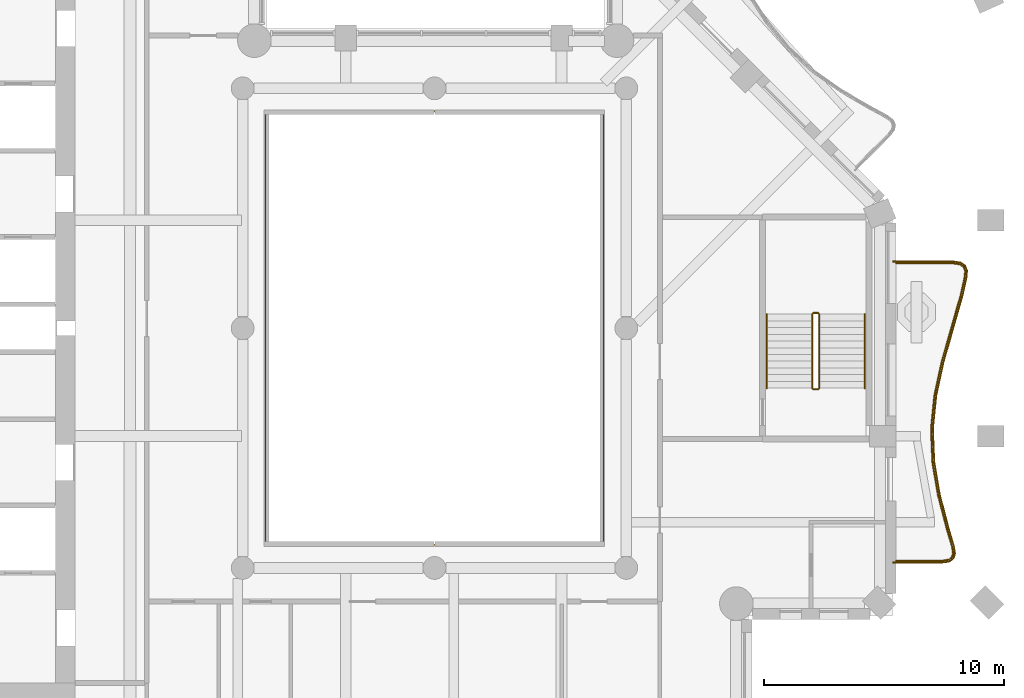
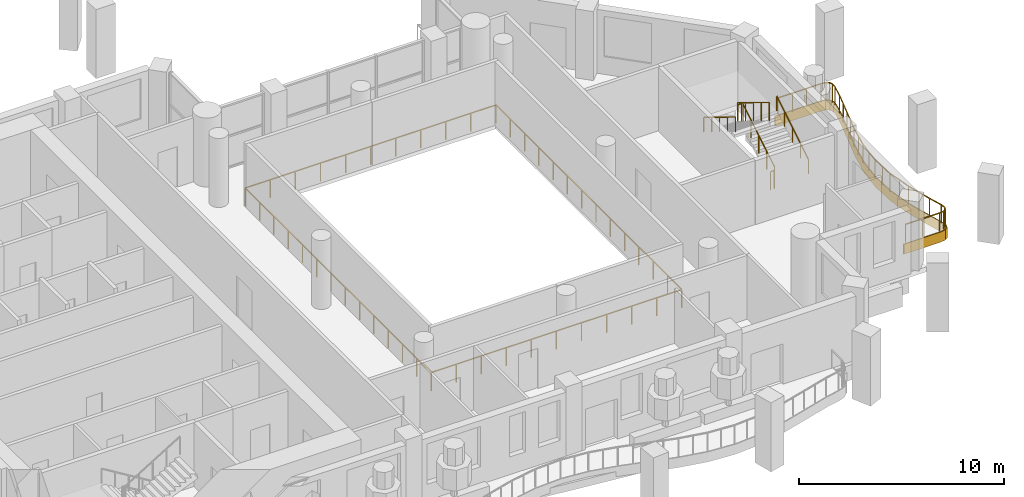
# One storey, part 11 of 14: 8 railings, 1 covering.
"""IFC4 building model written with IfcOpenShell, lengths in metres."""

from ifc_helpers import new_model, si_unit, direction, frame, origin, origin_2d, place, context, subcontext, project, spatial, polyline, rectangle, outline, extrude, material, layer, layer_set, type_object, element, save


model = new_model("IFC4")

# Units and contexts
model_context = context("Model", 3, precision=1e-05, world=origin(), true_north=direction((0.0, 1.0)))
body_context = subcontext(model_context, "Body", "Model", "MODEL_VIEW")
ifc_project = project(units=[si_unit("LENGTHUNIT", "METRE"), si_unit("AREAUNIT", "SQUARE_METRE"), si_unit("VOLUMEUNIT", "CUBIC_METRE"), si_unit("PLANEANGLEUNIT", "RADIAN"), si_unit("MASSUNIT", "GRAM", prefix="KILO")], contexts=[model_context])

# Site, building, storey
site_placement = place(None, origin())
site = spatial("IfcSite", under=ifc_project, at=site_placement, CompositionType="ELEMENT")
building_placement = place(site_placement, origin())
building = spatial("IfcBuilding", under=site, at=building_placement, Name="Cypress Arch Tower", CompositionType="ELEMENT")
storey_placement = place(building_placement, frame((0.0, 0.0, 226.10009765625)))
storey = spatial("IfcBuildingStorey", under=building, at=storey_placement, Name="L50", CompositionType="ELEMENT", Elevation=226.10009765625)

# Railing
ifc_material_1 = material(Name="Stainless steel posts and handrail, laminated glass infill", Category="steel")
railing_type_1 = type_object("IfcRailingType", Name="Atrium guard GR1100A", PredefinedType="GUARDRAIL", material=ifc_material_1)
railing_1_placement = place(storey_placement, frame((8.050048828125, -9.050048828125, 0.0)))
element("IfcRailing", 1, at=railing_1_placement, inside=storey, type_object=railing_type_1, Name="Atrium guard L50", PredefinedType="GUARDRAIL", context=body_context, shape_type="SweptSolid", body=[
    extrude(rectangle(XDim=0.050048828125, YDim=0.050048828125, at=origin_2d()), frame((0.0, 0.0, 1.0751953125), z_axis=(-1.0, 0.0, 0.0), x_axis=(0.0, -1.0, 0.0)), (0.0, 0.0, 1.0), 14.10009765625),
    extrude(rectangle(XDim=0.050048828125, YDim=0.050048828125, at=origin_2d()), frame((-14.10009765625, 0.0, 1.0751953125), z_axis=(0.0, 1.0, 0.0), x_axis=(-1.0, 0.0, 0.0)), (0.0, 0.0, 1.0), 18.10009765625),
    extrude(rectangle(XDim=0.050048828125, YDim=0.050048828125, at=origin_2d()), frame((-14.10009765625, 18.10009765625, 1.0751953125), z_axis=(1.0, 0.0, 0.0), x_axis=(0.0, 1.0, 0.0)), (0.0, 0.0, 1.0), 14.10009765625),
    extrude(rectangle(XDim=0.050048828125, YDim=0.050048828125, at=origin_2d()), frame((0.0, 18.10009765625, 1.0751953125), z_axis=(0.0, -1.0, 0.0), x_axis=(1.0, 0.0, 0.0)), (0.0, 0.0, 1.0), 18.10009765625),
    extrude(rectangle(XDim=0.050048828125, YDim=0.050048828125, at=origin_2d()), origin(), (0.0, 0.0, 1.0), 1.050048828125),
    extrude(rectangle(XDim=0.050048828125, YDim=0.050048828125, at=origin_2d()), frame((-1.409912109375, 0.0, 0.0)), (0.0, 0.0, 1.0), 1.050048828125),
    extrude(rectangle(XDim=0.050048828125, YDim=0.050048828125, at=origin_2d()), frame((-2.820068359375, 0.0, 0.0)), (0.0, 0.0, 1.0), 1.050048828125),
    extrude(rectangle(XDim=0.050048828125, YDim=0.050048828125, at=origin_2d()), frame((-4.22998046875, 0.0, 0.0)), (0.0, 0.0, 1.0), 1.050048828125),
    extrude(rectangle(XDim=0.050048828125, YDim=0.050048828125, at=origin_2d()), frame((-5.64013671875, 0.0, 0.0)), (0.0, 0.0, 1.0), 1.050048828125),
    extrude(rectangle(XDim=0.050048828125, YDim=0.050048828125, at=origin_2d()), frame((-7.050048828125, 0.0, 0.0)), (0.0, 0.0, 1.0), 1.050048828125),
    extrude(rectangle(XDim=0.050048828125, YDim=0.050048828125, at=origin_2d()), frame((-8.4599609375, 0.0, 0.0)), (0.0, 0.0, 1.0), 1.050048828125),
    extrude(rectangle(XDim=0.050048828125, YDim=0.050048828125, at=origin_2d()), frame((-9.8701171875, 0.0, 0.0)), (0.0, 0.0, 1.0), 1.050048828125),
    extrude(rectangle(XDim=0.050048828125, YDim=0.050048828125, at=origin_2d()), frame((-11.280029296875, 0.0, 0.0)), (0.0, 0.0, 1.0), 1.050048828125),
    extrude(rectangle(XDim=0.050048828125, YDim=0.050048828125, at=origin_2d()), frame((-12.690185546875, 0.0, 0.0)), (0.0, 0.0, 1.0), 1.050048828125),
    extrude(rectangle(XDim=0.050048828125, YDim=0.050048828125, at=origin_2d()), frame((-14.10009765625, 0.0, 0.0)), (0.0, 0.0, 1.0), 1.050048828125),
    extrude(rectangle(XDim=0.050048828125, YDim=0.050048828125, at=origin_2d()), frame((-14.10009765625, 1.392333984375, 0.0)), (0.0, 0.0, 1.0), 1.050048828125),
    extrude(rectangle(XDim=0.050048828125, YDim=0.050048828125, at=origin_2d()), frame((-14.10009765625, 2.78466796875, 0.0)), (0.0, 0.0, 1.0), 1.050048828125),
    extrude(rectangle(XDim=0.050048828125, YDim=0.050048828125, at=origin_2d()), frame((-14.10009765625, 4.177001953125, 0.0)), (0.0, 0.0, 1.0), 1.050048828125),
    extrude(rectangle(XDim=0.050048828125, YDim=0.050048828125, at=origin_2d()), frame((-14.10009765625, 5.5693359375, 0.0)), (0.0, 0.0, 1.0), 1.050048828125),
    extrude(rectangle(XDim=0.050048828125, YDim=0.050048828125, at=origin_2d()), frame((-14.10009765625, 6.961669921875, 0.0)), (0.0, 0.0, 1.0), 1.050048828125),
    extrude(rectangle(XDim=0.050048828125, YDim=0.050048828125, at=origin_2d()), frame((-14.10009765625, 8.35400390625, 0.0)), (0.0, 0.0, 1.0), 1.050048828125),
    extrude(rectangle(XDim=0.050048828125, YDim=0.050048828125, at=origin_2d()), frame((-14.10009765625, 9.74609375, 0.0)), (0.0, 0.0, 1.0), 1.050048828125),
    extrude(rectangle(XDim=0.050048828125, YDim=0.050048828125, at=origin_2d()), frame((-14.10009765625, 11.138427734375, 0.0)), (0.0, 0.0, 1.0), 1.050048828125),
    extrude(rectangle(XDim=0.050048828125, YDim=0.050048828125, at=origin_2d()), frame((-14.10009765625, 12.53076171875, 0.0)), (0.0, 0.0, 1.0), 1.050048828125),
    extrude(rectangle(XDim=0.050048828125, YDim=0.050048828125, at=origin_2d()), frame((-14.10009765625, 13.923095703125, 0.0)), (0.0, 0.0, 1.0), 1.050048828125),
    extrude(rectangle(XDim=0.050048828125, YDim=0.050048828125, at=origin_2d()), frame((-14.10009765625, 15.3154296875, 0.0)), (0.0, 0.0, 1.0), 1.050048828125),
    extrude(rectangle(XDim=0.050048828125, YDim=0.050048828125, at=origin_2d()), frame((-14.10009765625, 16.707763671875, 0.0)), (0.0, 0.0, 1.0), 1.050048828125),
    extrude(rectangle(XDim=0.050048828125, YDim=0.050048828125, at=origin_2d()), frame((-14.10009765625, 18.10009765625, 0.0)), (0.0, 0.0, 1.0), 1.050048828125),
    extrude(rectangle(XDim=0.050048828125, YDim=0.050048828125, at=origin_2d()), frame((-12.690185546875, 18.10009765625, 0.0)), (0.0, 0.0, 1.0), 1.050048828125),
    extrude(rectangle(XDim=0.050048828125, YDim=0.050048828125, at=origin_2d()), frame((-11.280029296875, 18.10009765625, 0.0)), (0.0, 0.0, 1.0), 1.050048828125),
    extrude(rectangle(XDim=0.050048828125, YDim=0.050048828125, at=origin_2d()), frame((-9.8701171875, 18.10009765625, 0.0)), (0.0, 0.0, 1.0), 1.050048828125),
    extrude(rectangle(XDim=0.050048828125, YDim=0.050048828125, at=origin_2d()), frame((-8.4599609375, 18.10009765625, 0.0)), (0.0, 0.0, 1.0), 1.050048828125),
    extrude(rectangle(XDim=0.050048828125, YDim=0.050048828125, at=origin_2d()), frame((-7.050048828125, 18.10009765625, 0.0)), (0.0, 0.0, 1.0), 1.050048828125),
    extrude(rectangle(XDim=0.050048828125, YDim=0.050048828125, at=origin_2d()), frame((-5.64013671875, 18.10009765625, 0.0)), (0.0, 0.0, 1.0), 1.050048828125),
    extrude(rectangle(XDim=0.050048828125, YDim=0.050048828125, at=origin_2d()), frame((-4.22998046875, 18.10009765625, 0.0)), (0.0, 0.0, 1.0), 1.050048828125),
    extrude(rectangle(XDim=0.050048828125, YDim=0.050048828125, at=origin_2d()), frame((-2.820068359375, 18.10009765625, 0.0)), (0.0, 0.0, 1.0), 1.050048828125),
    extrude(rectangle(XDim=0.050048828125, YDim=0.050048828125, at=origin_2d()), frame((-1.409912109375, 18.10009765625, 0.0)), (0.0, 0.0, 1.0), 1.050048828125),
    extrude(rectangle(XDim=0.050048828125, YDim=0.050048828125, at=origin_2d()), frame((0.0, 18.10009765625, 0.0)), (0.0, 0.0, 1.0), 1.050048828125),
    extrude(rectangle(XDim=0.050048828125, YDim=0.050048828125, at=origin_2d()), frame((0.0, 16.707763671875, 0.0)), (0.0, 0.0, 1.0), 1.050048828125),
    extrude(rectangle(XDim=0.050048828125, YDim=0.050048828125, at=origin_2d()), frame((0.0, 15.3154296875, 0.0)), (0.0, 0.0, 1.0), 1.050048828125),
    extrude(rectangle(XDim=0.050048828125, YDim=0.050048828125, at=origin_2d()), frame((0.0, 13.923095703125, 0.0)), (0.0, 0.0, 1.0), 1.050048828125),
    extrude(rectangle(XDim=0.050048828125, YDim=0.050048828125, at=origin_2d()), frame((0.0, 12.53076171875, 0.0)), (0.0, 0.0, 1.0), 1.050048828125),
    extrude(rectangle(XDim=0.050048828125, YDim=0.050048828125, at=origin_2d()), frame((0.0, 11.138427734375, 0.0)), (0.0, 0.0, 1.0), 1.050048828125),
    extrude(rectangle(XDim=0.050048828125, YDim=0.050048828125, at=origin_2d()), frame((0.0, 9.74609375, 0.0)), (0.0, 0.0, 1.0), 1.050048828125),
    extrude(rectangle(XDim=0.050048828125, YDim=0.050048828125, at=origin_2d()), frame((0.0, 8.35400390625, 0.0)), (0.0, 0.0, 1.0), 1.050048828125),
    extrude(rectangle(XDim=0.050048828125, YDim=0.050048828125, at=origin_2d()), frame((0.0, 6.961669921875, 0.0)), (0.0, 0.0, 1.0), 1.050048828125),
    extrude(rectangle(XDim=0.050048828125, YDim=0.050048828125, at=origin_2d()), frame((0.0, 5.5693359375, 0.0)), (0.0, 0.0, 1.0), 1.050048828125),
    extrude(rectangle(XDim=0.050048828125, YDim=0.050048828125, at=origin_2d()), frame((0.0, 4.177001953125, 0.0)), (0.0, 0.0, 1.0), 1.050048828125),
    extrude(rectangle(XDim=0.050048828125, YDim=0.050048828125, at=origin_2d()), frame((0.0, 2.78466796875, 0.0)), (0.0, 0.0, 1.0), 1.050048828125),
    extrude(rectangle(XDim=0.050048828125, YDim=0.050048828125, at=origin_2d()), frame((0.0, 1.392333984375, 0.0)), (0.0, 0.0, 1.0), 1.050048828125),
])

# Covering
ifc_material_2 = material(Name="White powder-coated aluminium fascia", Category="aluminium")
ifc_layer = layer(ifc_material_2, 0.050048828125)
ifc_layer_set = layer_set([ifc_layer], Name="Balcony fascia BF50")
covering_type = type_object("IfcCoveringType", Name="Balcony fascia BF50", PredefinedType="CLADDING", material=ifc_layer_set)
covering_placement = place(storey_placement, frame((0.0, 0.0, -0.60009765625)))
element("IfcCovering", 2, at=covering_placement, inside=storey, type_object=covering_type, Name="Balcony fascia L50-B04", PredefinedType="CLADDING", context=body_context, shape_type="SweptSolid", body=[
    extrude(outline(polyline([(22.666015625, 2.800048828125), (22.952392578125, 2.7587890625), (23.14892578125, 2.62646484375), (23.235595703125, 2.406005859375), (23.2138671875, 2.11767578125), (23.043701171875, 1.348876953125), (22.646240234375, -0.04150390625), (22.25146484375, -1.428955078125), (21.9501953125, -2.8134765625), (21.811279296875, -4.196044921875), (21.8662109375, -5.578125), (22.1025390625, -6.961669921875), (22.466552734375, -8.34765625), (22.691650390625, -9.1142578125), (22.733642578125, -9.403076171875), (22.65966796875, -9.625244140625), (22.46728515625, -9.7587890625), (22.178466796875, -9.800048828125), (20.10107421875, -9.800048828125), (20.10107421875, -9.75), (22.1748046875, -9.75), (22.448486328125, -9.7109375), (22.61767578125, -9.59375), (22.682373046875, -9.3984375), (22.642822265625, -9.125), (22.41845703125, -8.361083984375), (22.0537109375, -6.97216796875), (21.81640625, -5.583251953125), (21.76123046875, -4.1943359375), (21.900634765625, -2.8056640625), (22.202880859375, -1.416748046875), (22.59814453125, -0.02783203125), (22.9951171875, 1.361083984375), (23.164306640625, 2.125), (23.184814453125, 2.3984375), (23.10791015625, 2.59375), (22.933837890625, 2.7109375), (22.66259765625, 2.75), (20.10107421875, 2.75), (20.10107421875, 2.800048828125), (22.666015625, 2.800048828125)])), origin(), (0.0, 0.0, 1.0), 0.60009765625),
])

# Railings
ifc_material_3 = material(Name="Powder-coated steel posts and rods, 100 mm clear between rods", Category="steel")
railing_type_2 = type_object("IfcRailingType", Name="Balcony guard GR1100", PredefinedType="GUARDRAIL", material=ifc_material_3)
railing_2_placement = place(storey_placement, frame((20.25, 2.699951171875, 0.0)))
element("IfcRailing", 3, at=railing_2_placement, inside=storey, type_object=railing_type_2, Name="Balcony guard L50-B04", PredefinedType="GUARDRAIL", context=body_context, shape_type="SweptSolid", body=[
    extrude(rectangle(XDim=0.050048828125, YDim=0.050048828125, at=origin_2d()), frame((0.0, 0.0, 1.0751953125), z_axis=(1.0, 0.0, 0.0), x_axis=(0.0, 1.0, 0.0)), (0.0, 0.0, 1.0), 2.408935546875),
    extrude(rectangle(XDim=0.050048828125, YDim=0.050048828125, at=origin_2d()), frame((2.408935546875, 0.0, 1.0751953125), z_axis=(0.989836161054, -0.142212426564, 0.0), x_axis=(0.142212426564, 0.989836161054, 0.0)), (0.0, 0.0, 1.0), 0.25927734375),
    extrude(rectangle(XDim=0.050048828125, YDim=0.050048828125, at=origin_2d()), frame((2.66552734375, -0.036865234375, 1.0751953125), z_axis=(0.829575847334, -0.558394048608, 0.0), x_axis=(0.558394048608, 0.829575847334, 0.0)), (0.0, 0.0, 1.0), 0.182861328125),
    extrude(rectangle(XDim=0.050048828125, YDim=0.050048828125, at=origin_2d()), frame((2.817138671875, -0.138916015625, 1.0751953125), z_axis=(0.365858921668, -0.930670322636, 0.0), x_axis=(0.930670322636, 0.365858921668, 0.0)), (0.0, 0.0, 1.0), 0.182861328125),
    extrude(rectangle(XDim=0.050048828125, YDim=0.050048828125, at=origin_2d()), frame((2.884033203125, -0.30908203125, 1.0751953125), z_axis=(-0.074391970905, -0.997229078329, 0.0), x_axis=(0.997229078329, -0.074391970905, 0.0)), (0.0, 0.0, 1.0), 0.25927734375),
    extrude(rectangle(XDim=0.050048828125, YDim=0.050048828125, at=origin_2d()), frame((2.86474609375, -0.567626953125, 1.0751953125), z_axis=(-0.21606581391, -0.976378801521, 0.0), x_axis=(0.976378801521, -0.21606581391, 0.0)), (0.0, 0.0, 1.0), 0.77734375),
    extrude(rectangle(XDim=0.050048828125, YDim=0.050048828125, at=origin_2d()), frame((2.69677734375, -1.32666015625, 1.0751953125), z_axis=(-0.2749222261, -0.961466468264, 0.0), x_axis=(0.961466468264, -0.2749222261, 0.0)), (0.0, 0.0, 1.0), 1.443115234375),
    extrude(rectangle(XDim=0.050048828125, YDim=0.050048828125, at=origin_2d()), frame((2.300048828125, -2.714111328125, 1.0751953125), z_axis=(-0.273761854438, -0.961797508343, 0.0), x_axis=(0.961797508343, -0.273761854438, 0.0)), (0.0, 0.0, 1.0), 1.445556640625),
    extrude(rectangle(XDim=0.050048828125, YDim=0.050048828125, at=origin_2d()), frame((1.904296875, -4.1044921875, 1.0751953125), z_axis=(-0.212522069279, -0.977156266965, 0.0), x_axis=(0.977156266965, -0.212522069279, 0.0)), (0.0, 0.0, 1.0), 1.425537109375),
    extrude(rectangle(XDim=0.050048828125, YDim=0.050048828125, at=origin_2d()), frame((1.601318359375, -5.49755859375, 1.0751953125), z_axis=(-0.099934655698, -0.994994002289, 0.0), x_axis=(0.994994002289, -0.099934655698, 0.0)), (0.0, 0.0, 1.0), 1.40234375),
    extrude(rectangle(XDim=0.050048828125, YDim=0.050048828125, at=origin_2d()), frame((1.461181640625, -6.892822265625, 1.0751953125), z_axis=(0.039674876642, -0.999212642116, 0.0), x_axis=(0.999212642116, 0.039674876642, 0.0)), (0.0, 0.0, 1.0), 1.39697265625),
    extrude(rectangle(XDim=0.050048828125, YDim=0.050048828125, at=origin_2d()), frame((1.5166015625, -8.28857421875, 1.0751953125), z_axis=(0.168455989452, -0.985709175983, 0.0), x_axis=(0.985709175983, 0.168455989452, 0.0)), (0.0, 0.0, 1.0), 1.41455078125),
    extrude(rectangle(XDim=0.050048828125, YDim=0.050048828125, at=origin_2d()), frame((1.7548828125, -9.682861328125, 1.0751953125), z_axis=(0.253858440089, -0.967241382694, 0.0), x_axis=(0.967241382694, 0.253858440089, 0.0)), (0.0, 0.0, 1.0), 1.438720703125),
    extrude(rectangle(XDim=0.050048828125, YDim=0.050048828125, at=origin_2d()), frame((2.1201171875, -11.074462890625, 1.0751953125), z_axis=(0.281866435616, -0.959453653114, 0.0), x_axis=(0.959453653114, 0.281866435616, 0.0)), (0.0, 0.0, 1.0), 0.79345703125),
    extrude(rectangle(XDim=0.050048828125, YDim=0.050048828125, at=origin_2d()), frame((2.34375, -11.835693359375, 1.0751953125), z_axis=(0.143256291873, -0.989685624246, 0.0), x_axis=(0.989685624246, 0.143256291873, 0.0)), (0.0, 0.0, 1.0), 0.2607421875),
    extrude(rectangle(XDim=0.050048828125, YDim=0.050048828125, at=origin_2d()), frame((2.381103515625, -12.09375, 1.0751953125), z_axis=(-0.31374971669, -0.949505721561, 0.0), x_axis=(0.949505721561, -0.31374971669, 0.0)), (0.0, 0.0, 1.0), 0.177490234375),
    extrude(rectangle(XDim=0.050048828125, YDim=0.050048828125, at=origin_2d()), frame((2.325439453125, -12.26220703125, 1.0751953125), z_axis=(-0.822390507267, -0.56892341625, 0.0), x_axis=(0.56892341625, -0.822390507267, 0.0)), (0.0, 0.0, 1.0), 0.17724609375),
    extrude(rectangle(XDim=0.050048828125, YDim=0.050048828125, at=origin_2d()), frame((2.1796875, -12.363037109375, 1.0751953125), z_axis=(-0.989968198948, -0.141290357317, 0.0), x_axis=(0.141290357317, -0.989968198948, 0.0)), (0.0, 0.0, 1.0), 0.260986328125),
    extrude(rectangle(XDim=0.050048828125, YDim=0.050048828125, at=origin_2d()), frame((1.92138671875, -12.39990234375, 1.0751953125), z_axis=(-1.0, 0.0, 0.0), x_axis=(0.0, -1.0, 0.0)), (0.0, 0.0, 1.0), 1.92138671875),
    extrude(rectangle(XDim=0.0400390625, YDim=0.0400390625, at=origin_2d()), origin(), (0.0, 0.0, 1.0), 1.050048828125),
    extrude(rectangle(XDim=0.0400390625, YDim=0.0400390625, at=origin_2d()), frame((0.802978515625, 0.0, 0.0)), (0.0, 0.0, 1.0), 1.050048828125),
    extrude(rectangle(XDim=0.0400390625, YDim=0.0400390625, at=origin_2d()), frame((1.60595703125, 0.0, 0.0)), (0.0, 0.0, 1.0), 1.050048828125),
    extrude(rectangle(XDim=0.0400390625, YDim=0.0400390625, at=origin_2d()), frame((2.408935546875, 0.0, 0.0)), (0.0, 0.0, 1.0), 1.050048828125),
    extrude(rectangle(XDim=0.0400390625, YDim=0.0400390625, at=origin_2d()), frame((2.66552734375, -0.036865234375, 0.0)), (0.0, 0.0, 1.0), 1.050048828125),
    extrude(rectangle(XDim=0.0400390625, YDim=0.0400390625, at=origin_2d()), frame((2.817138671875, -0.138916015625, 0.0)), (0.0, 0.0, 1.0), 1.050048828125),
    extrude(rectangle(XDim=0.0400390625, YDim=0.0400390625, at=origin_2d()), frame((2.884033203125, -0.30908203125, 0.0)), (0.0, 0.0, 1.0), 1.050048828125),
    extrude(rectangle(XDim=0.0400390625, YDim=0.0400390625, at=origin_2d()), frame((2.86474609375, -0.567626953125, 0.0)), (0.0, 0.0, 1.0), 1.050048828125),
    extrude(rectangle(XDim=0.0400390625, YDim=0.0400390625, at=origin_2d()), frame((2.69677734375, -1.32666015625, 0.0)), (0.0, 0.0, 1.0), 1.050048828125),
    extrude(rectangle(XDim=0.0400390625, YDim=0.0400390625, at=origin_2d()), frame((2.49853515625, -2.0205078125, 0.0)), (0.0, 0.0, 1.0), 1.050048828125),
    extrude(rectangle(XDim=0.0400390625, YDim=0.0400390625, at=origin_2d()), frame((2.300048828125, -2.714111328125, 0.0)), (0.0, 0.0, 1.0), 1.050048828125),
    extrude(rectangle(XDim=0.0400390625, YDim=0.0400390625, at=origin_2d()), frame((2.10205078125, -3.4091796875, 0.0)), (0.0, 0.0, 1.0), 1.050048828125),
    extrude(rectangle(XDim=0.0400390625, YDim=0.0400390625, at=origin_2d()), frame((1.904296875, -4.1044921875, 0.0)), (0.0, 0.0, 1.0), 1.050048828125),
    extrude(rectangle(XDim=0.0400390625, YDim=0.0400390625, at=origin_2d()), frame((1.7529296875, -4.801025390625, 0.0)), (0.0, 0.0, 1.0), 1.050048828125),
    extrude(rectangle(XDim=0.0400390625, YDim=0.0400390625, at=origin_2d()), frame((1.601318359375, -5.49755859375, 0.0)), (0.0, 0.0, 1.0), 1.050048828125),
    extrude(rectangle(XDim=0.0400390625, YDim=0.0400390625, at=origin_2d()), frame((1.53125, -6.1953125, 0.0)), (0.0, 0.0, 1.0), 1.050048828125),
    extrude(rectangle(XDim=0.0400390625, YDim=0.0400390625, at=origin_2d()), frame((1.461181640625, -6.892822265625, 0.0)), (0.0, 0.0, 1.0), 1.050048828125),
    extrude(rectangle(XDim=0.0400390625, YDim=0.0400390625, at=origin_2d()), frame((1.48876953125, -7.5908203125, 0.0)), (0.0, 0.0, 1.0), 1.050048828125),
    extrude(rectangle(XDim=0.0400390625, YDim=0.0400390625, at=origin_2d()), frame((1.5166015625, -8.28857421875, 0.0)), (0.0, 0.0, 1.0), 1.050048828125),
    extrude(rectangle(XDim=0.0400390625, YDim=0.0400390625, at=origin_2d()), frame((1.6357421875, -8.98583984375, 0.0)), (0.0, 0.0, 1.0), 1.050048828125),
    extrude(rectangle(XDim=0.0400390625, YDim=0.0400390625, at=origin_2d()), frame((1.7548828125, -9.682861328125, 0.0)), (0.0, 0.0, 1.0), 1.050048828125),
    extrude(rectangle(XDim=0.0400390625, YDim=0.0400390625, at=origin_2d()), frame((1.9375, -10.378662109375, 0.0)), (0.0, 0.0, 1.0), 1.050048828125),
    extrude(rectangle(XDim=0.0400390625, YDim=0.0400390625, at=origin_2d()), frame((2.1201171875, -11.074462890625, 0.0)), (0.0, 0.0, 1.0), 1.050048828125),
    extrude(rectangle(XDim=0.0400390625, YDim=0.0400390625, at=origin_2d()), frame((2.34375, -11.835693359375, 0.0)), (0.0, 0.0, 1.0), 1.050048828125),
    extrude(rectangle(XDim=0.0400390625, YDim=0.0400390625, at=origin_2d()), frame((2.381103515625, -12.09375, 0.0)), (0.0, 0.0, 1.0), 1.050048828125),
    extrude(rectangle(XDim=0.0400390625, YDim=0.0400390625, at=origin_2d()), frame((2.325439453125, -12.26220703125, 0.0)), (0.0, 0.0, 1.0), 1.050048828125),
    extrude(rectangle(XDim=0.0400390625, YDim=0.0400390625, at=origin_2d()), frame((2.1796875, -12.363037109375, 0.0)), (0.0, 0.0, 1.0), 1.050048828125),
    extrude(rectangle(XDim=0.0400390625, YDim=0.0400390625, at=origin_2d()), frame((1.92138671875, -12.39990234375, 0.0)), (0.0, 0.0, 1.0), 1.050048828125),
    extrude(rectangle(XDim=0.0400390625, YDim=0.0400390625, at=origin_2d()), frame((0.960693359375, -12.39990234375, 0.0)), (0.0, 0.0, 1.0), 1.050048828125),
    extrude(rectangle(XDim=0.0400390625, YDim=0.0400390625, at=origin_2d()), frame((0.0, -12.39990234375, 0.0)), (0.0, 0.0, 1.0), 1.050048828125),
])
ifc_material_4 = material(Name="Black powder-coated steel square bar 48 mm", Category="steel")
railing_type_3 = type_object("IfcRailingType", Name="Stair handrail HR1", PredefinedType="HANDRAIL", material=ifc_material_4)
railing_3_placement = place(storey_placement, frame((18.949951171875, -2.5, 0.170654296875)))
element("IfcRailing", 4, at=railing_3_placement, inside=storey, type_object=railing_type_3, Name="L50 C stair handrail 1", PredefinedType="HANDRAIL", context=body_context, shape_type="SweptSolid", body=[
    extrude(rectangle(XDim=0.048095703125, YDim=0.048095703125, at=origin_2d()), frame((0.0, 0.0, 0.8759765625), z_axis=(0.0, 0.853666305674, 0.52082035152), x_axis=(-1.0, 0.0, 0.0)), (0.0, 0.0, 1.0), 3.608154296875),
    extrude(rectangle(XDim=0.0419921875, YDim=0.0419921875, at=origin_2d()), origin(), (0.0, 0.0, 1.0), 0.851806640625),
    extrude(rectangle(XDim=0.0419921875, YDim=0.0419921875, at=origin_2d()), frame((0.0, 0.77001953125, 0.4697265625)), (0.0, 0.0, 1.0), 0.851806640625),
    extrude(rectangle(XDim=0.0419921875, YDim=0.0419921875, at=origin_2d()), frame((0.0, 1.5400390625, 0.939453125)), (0.0, 0.0, 1.0), 0.851806640625),
    extrude(rectangle(XDim=0.0419921875, YDim=0.0419921875, at=origin_2d()), frame((0.0, 2.31005859375, 1.409423828125)), (0.0, 0.0, 1.0), 0.851806640625),
    extrude(rectangle(XDim=0.0419921875, YDim=0.0419921875, at=origin_2d()), frame((0.0, 3.080078125, 1.879150390625)), (0.0, 0.0, 1.0), 0.851806640625),
])
railing_4_placement = place(storey_placement, frame((14.85009765625, 0.580078125, 2.220703125)))
element("IfcRailing", 5, at=railing_4_placement, inside=storey, type_object=railing_type_3, Name="L50 C stair handrail 2", PredefinedType="HANDRAIL", context=body_context, shape_type="SweptSolid", body=[
    extrude(rectangle(XDim=0.048095703125, YDim=0.048095703125, at=origin_2d()), frame((0.0, 0.0, 0.8759765625), z_axis=(0.0, -0.853666305674, 0.52082035152), x_axis=(1.0, 0.0, 0.0)), (0.0, 0.0, 1.0), 3.608154296875),
    extrude(rectangle(XDim=0.0419921875, YDim=0.0419921875, at=origin_2d()), origin(), (0.0, 0.0, 1.0), 0.851806640625),
    extrude(rectangle(XDim=0.0419921875, YDim=0.0419921875, at=origin_2d()), frame((0.0, -0.77001953125, 0.4697265625)), (0.0, 0.0, 1.0), 0.851806640625),
    extrude(rectangle(XDim=0.0419921875, YDim=0.0419921875, at=origin_2d()), frame((0.0, -1.5400390625, 0.939453125)), (0.0, 0.0, 1.0), 0.851806640625),
    extrude(rectangle(XDim=0.0419921875, YDim=0.0419921875, at=origin_2d()), frame((0.0, -2.31005859375, 1.409423828125)), (0.0, 0.0, 1.0), 0.851806640625),
    extrude(rectangle(XDim=0.0419921875, YDim=0.0419921875, at=origin_2d()), frame((0.0, -3.080078125, 1.879150390625)), (0.0, 0.0, 1.0), 0.851806640625),
])
ifc_material_5 = material(Name="Black powder-coated steel balusters", Category="steel")
railing_type_4 = type_object("IfcRailingType", Name="Stair well guard G1", PredefinedType="GUARDRAIL", material=ifc_material_5)
railing_5_placement = place(storey_placement, frame((17.050048828125, -2.5, 0.170654296875)))
element("IfcRailing", 6, at=railing_5_placement, inside=storey, type_object=railing_type_4, Name="L50 C stair guard 1", PredefinedType="GUARDRAIL", context=body_context, shape_type="SweptSolid", body=[
    extrude(rectangle(XDim=0.048095703125, YDim=0.048095703125, at=origin_2d()), frame((0.0, 0.0, 1.076171875), z_axis=(0.0, 0.853666305674, 0.52082035152), x_axis=(-1.0, 0.0, 0.0)), (0.0, 0.0, 1.0), 3.608154296875),
    extrude(rectangle(XDim=0.0419921875, YDim=0.0419921875, at=origin_2d()), origin(), (0.0, 0.0, 1.0), 1.052001953125),
    extrude(rectangle(XDim=0.0419921875, YDim=0.0419921875, at=origin_2d()), frame((0.0, 0.77001953125, 0.4697265625)), (0.0, 0.0, 1.0), 1.052001953125),
    extrude(rectangle(XDim=0.0419921875, YDim=0.0419921875, at=origin_2d()), frame((0.0, 1.5400390625, 0.939453125)), (0.0, 0.0, 1.0), 1.052001953125),
    extrude(rectangle(XDim=0.0419921875, YDim=0.0419921875, at=origin_2d()), frame((0.0, 2.31005859375, 1.409423828125)), (0.0, 0.0, 1.0), 1.052001953125),
    extrude(rectangle(XDim=0.0419921875, YDim=0.0419921875, at=origin_2d()), frame((0.0, 3.080078125, 1.879150390625)), (0.0, 0.0, 1.0), 1.052001953125),
])
railing_6_placement = place(storey_placement, frame((17.0, 0.6298828125, 2.0498046875)))
element("IfcRailing", 7, at=railing_6_placement, inside=storey, type_object=railing_type_4, Name="L50 C stair guard 2", PredefinedType="GUARDRAIL", context=body_context, shape_type="SweptSolid", body=[
    extrude(rectangle(XDim=0.048095703125, YDim=0.048095703125, at=origin_2d()), frame((0.0, 0.0, 1.076171875), z_axis=(-1.0, 0.0, 0.0), x_axis=(0.0, -1.0, 0.0)), (0.0, 0.0, 1.0), 0.199951171875),
    extrude(rectangle(XDim=0.0419921875, YDim=0.0419921875, at=origin_2d()), origin(), (0.0, 0.0, 1.0), 1.052001953125),
    extrude(rectangle(XDim=0.0419921875, YDim=0.0419921875, at=origin_2d()), frame((-0.199951171875, 0.0, 0.0)), (0.0, 0.0, 1.0), 1.052001953125),
])
railing_7_placement = place(storey_placement, frame((16.75, 0.580078125, 2.220703125)))
element("IfcRailing", 8, at=railing_7_placement, inside=storey, type_object=railing_type_4, Name="L50 C stair guard 3", PredefinedType="GUARDRAIL", context=body_context, shape_type="SweptSolid", body=[
    extrude(rectangle(XDim=0.048095703125, YDim=0.048095703125, at=origin_2d()), frame((0.0, 0.0, 1.076171875), z_axis=(0.0, -0.853666305674, 0.52082035152), x_axis=(1.0, 0.0, 0.0)), (0.0, 0.0, 1.0), 3.608154296875),
    extrude(rectangle(XDim=0.0419921875, YDim=0.0419921875, at=origin_2d()), origin(), (0.0, 0.0, 1.0), 1.052001953125),
    extrude(rectangle(XDim=0.0419921875, YDim=0.0419921875, at=origin_2d()), frame((0.0, -0.77001953125, 0.4697265625)), (0.0, 0.0, 1.0), 1.052001953125),
    extrude(rectangle(XDim=0.0419921875, YDim=0.0419921875, at=origin_2d()), frame((0.0, -1.5400390625, 0.939453125)), (0.0, 0.0, 1.0), 1.052001953125),
    extrude(rectangle(XDim=0.0419921875, YDim=0.0419921875, at=origin_2d()), frame((0.0, -2.31005859375, 1.409423828125)), (0.0, 0.0, 1.0), 1.052001953125),
    extrude(rectangle(XDim=0.0419921875, YDim=0.0419921875, at=origin_2d()), frame((0.0, -3.080078125, 1.879150390625)), (0.0, 0.0, 1.0), 1.052001953125),
])
railing_8_placement = place(storey_placement, frame((17.0, -2.550048828125, 0.0)))
element("IfcRailing", 9, at=railing_8_placement, inside=storey, type_object=railing_type_4, Name="L50 C stair guard 4", PredefinedType="GUARDRAIL", context=body_context, shape_type="SweptSolid", body=[
    extrude(rectangle(XDim=0.048095703125, YDim=0.048095703125, at=origin_2d()), frame((0.0, 0.0, 1.076171875), z_axis=(-1.0, 0.0, 0.0), x_axis=(0.0, -1.0, 0.0)), (0.0, 0.0, 1.0), 0.199951171875),
    extrude(rectangle(XDim=0.0419921875, YDim=0.0419921875, at=origin_2d()), origin(), (0.0, 0.0, 1.0), 1.052001953125),
    extrude(rectangle(XDim=0.0419921875, YDim=0.0419921875, at=origin_2d()), frame((-0.199951171875, 0.0, 0.0)), (0.0, 0.0, 1.0), 1.052001953125),
])

save(model, "model.ifc")
